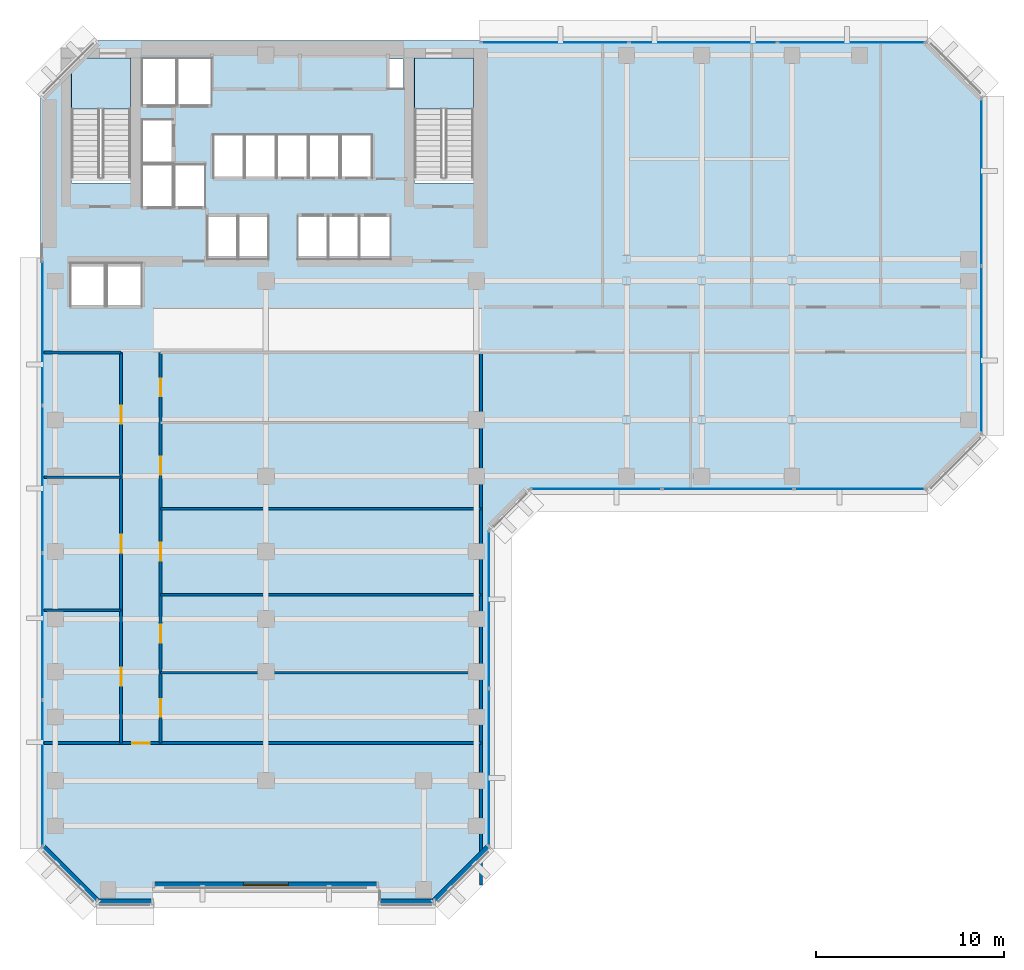
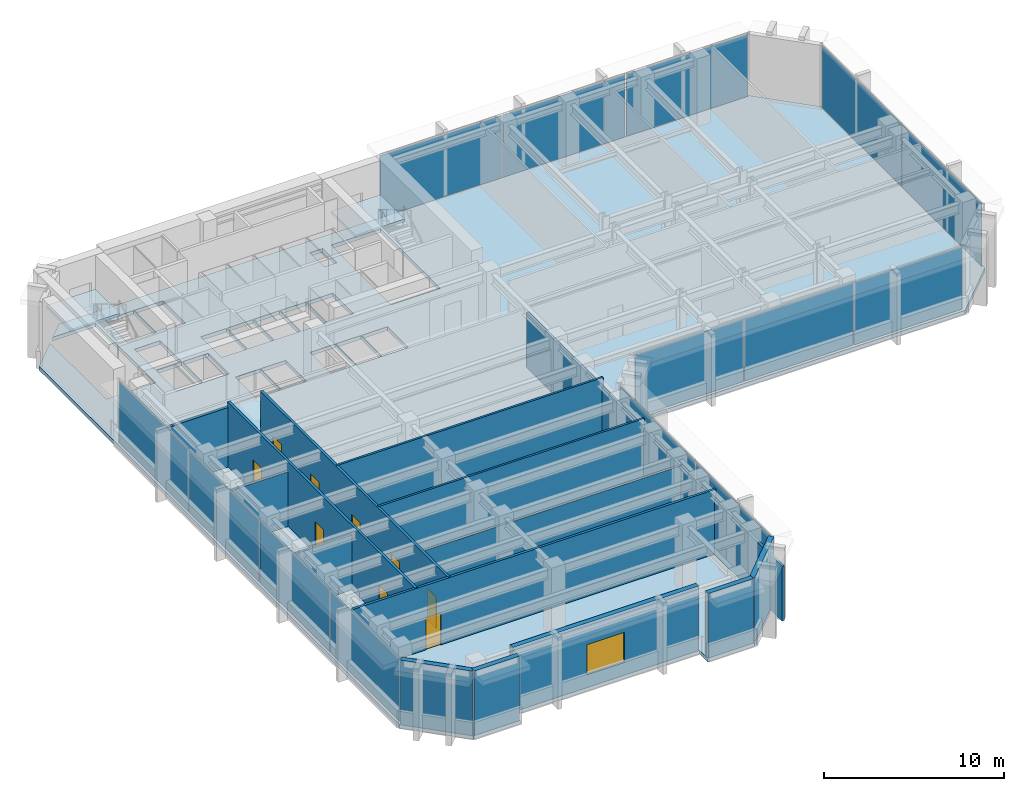
# One storey, part 6 of 13: 15 walls, 14 plates, 9 doors, 3 slabs, 1 window, 10 openings, 7 elements without a shape of their own.
"""IFC4 building model written with IfcOpenShell, lengths in metres."""

from ifc_helpers import new_model, si_unit, direction, frame, frame_2d, origin, origin_2d, place, context, subcontext, project, spatial, polyline, rectangle, outline, extrude, material, layer, layer_set, type_object, element, fill, aggregate, save


model = new_model("IFC4")

# Units and contexts
model_context = context("Model", 3, precision=1e-05, world=origin(), true_north=direction((0.0, 1.0)))
body_context = subcontext(model_context, "Body", "Model", "MODEL_VIEW")
ifc_project = project(units=[si_unit("LENGTHUNIT", "METRE"), si_unit("AREAUNIT", "SQUARE_METRE"), si_unit("VOLUMEUNIT", "CUBIC_METRE"), si_unit("PLANEANGLEUNIT", "RADIAN"), si_unit("MASSUNIT", "GRAM", prefix="KILO")], contexts=[model_context])

# Site, building, storey
site_placement = place(None, origin())
site = spatial("IfcSite", under=ifc_project, at=site_placement, CompositionType="ELEMENT")
building_placement = place(site_placement, origin())
building = spatial("IfcBuilding", under=site, at=building_placement, Name="Kefirva Bronze Tower", CompositionType="ELEMENT")
storey_placement = place(building_placement, frame((0.0, 0.0, 130.35009765625)))
storey = spatial("IfcBuildingStorey", under=building, at=storey_placement, Name="L31", CompositionType="ELEMENT", Elevation=130.35009765625)

# Stair, slab
ifc_material_1 = material(Name="Concrete C40/50", Category="concrete")
stair_type = type_object("IfcStairType", Name="RC Dogleg Protected Stair 28R", PredefinedType="HALF_TURN_STAIR", material=ifc_material_1)
stair_1_placement = place(storey_placement, origin())
stair_1 = element("IfcStair", 1, at=stair_1_placement, inside=storey, type_object=stair_type, Name="L31 Protected Exit Stair 1", PredefinedType="HALF_TURN_STAIR")
ifc_layer_1 = layer(ifc_material_1, 0.199951171875, Name="Concrete C40/50")
ifc_layer_set_1 = layer_set([ifc_layer_1], Name="Concrete C40/50")
slab_type_1 = type_object("IfcSlabType", Name="RC Stair Landing Slab 200mm", PredefinedType="LANDING", material=ifc_layer_set_1)
slab_1_placement = place(storey_placement, frame((0.0, 0.0, 2.10986328125)))
slab_1 = element("IfcSlab", 2, at=slab_1_placement, type_object=slab_type_1, Name="ST-1 landing 1", PredefinedType="LANDING", context=body_context, shape_type="SweptSolid", body=[
    extrude(outline(polyline([(4.800048828125, 42.340087890625), (4.800048828125, 45.050048828125), (1.64990234375, 45.050048828125), (1.64990234375, 42.340087890625), (4.800048828125, 42.340087890625)])), origin(), (0.0, 0.0, 1.0), 0.199951171875),
])
aggregate(stair_1, [slab_1])

stair_2_placement = place(storey_placement, origin())
stair_2 = element("IfcStair", 3, at=stair_2_placement, inside=storey, type_object=stair_type, Name="L31 Protected Exit Stair 2", PredefinedType="HALF_TURN_STAIR")
slab_2_placement = place(storey_placement, frame((0.0, 0.0, 2.10986328125)))
slab_2 = element("IfcSlab", 4, at=slab_2_placement, type_object=slab_type_1, Name="ST-2 landing 1", PredefinedType="LANDING", context=body_context, shape_type="SweptSolid", body=[
    extrude(outline(polyline([(23.050048828125, 42.340087890625), (23.050048828125, 45.050048828125), (19.89990234375, 45.050048828125), (19.89990234375, 42.340087890625), (23.050048828125, 42.340087890625)])), origin(), (0.0, 0.0, 1.0), 0.199951171875),
])
aggregate(stair_2, [slab_2])

# Slab
ifc_layer_2 = layer(ifc_material_1, 0.25, Name="Concrete C40/50")
ifc_layer_set_2 = layer_set([ifc_layer_2], Name="Concrete C40/50")
slab_type_2 = type_object("IfcSlabType", Name="RC Tower Floor Slab 250mm", PredefinedType="FLOOR", material=ifc_layer_set_2)
slab_3_placement = place(storey_placement, frame((0.0, 0.0, -0.25)))
element("IfcSlab", 5, at=slab_3_placement, inside=storey, type_object=slab_type_2, Name="L31 Structural Floor Slab", PredefinedType="FLOOR", context=body_context, shape_type="SweptSolid", body=[
    extrude(outline(polyline([(0.0, 3.0), (0.0, 43.0), (1.64990234375, 44.64990234375), (1.64990234375, 38.39990234375), (4.800048828125, 38.39990234375), (4.800048828125, 45.050048828125), (2.050048828125, 45.050048828125), (3.0, 46.0), (47.199951171875, 46.0), (50.199951171875, 43.0), (50.199951171875, 25.0), (47.199951171875, 22.0), (26.0, 22.0), (24.0, 20.0), (24.0, 3.0), (21.0, 0.0), (18.0, 0.0), (18.0, 0.89990234375), (6.0, 0.89990234375), (6.0, 0.0), (3.0, 0.0), (0.0, 3.0)]), holes=[polyline([(19.89990234375, 38.39990234375), (23.050048828125, 38.39990234375), (23.050048828125, 45.050048828125), (19.89990234375, 45.050048828125), (19.89990234375, 38.39990234375)]), polyline([(18.52001953125, 43.419921875), (19.320068359375, 43.419921875), (19.320068359375, 45.0), (18.52001953125, 45.0), (18.52001953125, 43.419921875)]), polyline([(17.0, 34.35009765625), (18.64990234375, 34.35009765625), (18.64990234375, 36.64990234375), (17.0, 36.64990234375), (17.0, 34.35009765625)]), polyline([(17.64990234375, 38.679931640625), (17.64990234375, 40.97998046875), (16.0, 40.97998046875), (16.0, 38.679931640625), (17.64990234375, 38.679931640625)]), polyline([(16.949951171875, 34.35009765625), (16.949951171875, 36.64990234375), (15.35009765625, 36.64990234375), (15.35009765625, 34.35009765625), (16.949951171875, 34.35009765625)]), polyline([(15.929931640625, 38.679931640625), (15.929931640625, 40.97998046875), (14.300048828125, 40.97998046875), (14.300048828125, 38.679931640625), (15.929931640625, 38.679931640625)]), polyline([(15.300048828125, 34.35009765625), (15.300048828125, 36.64990234375), (13.699951171875, 36.64990234375), (13.699951171875, 34.35009765625), (15.300048828125, 34.35009765625)]), polyline([(14.22998046875, 38.679931640625), (14.22998046875, 40.97998046875), (12.60009765625, 40.97998046875), (12.60009765625, 38.679931640625), (14.22998046875, 38.679931640625)]), polyline([(10.89990234375, 38.679931640625), (12.530029296875, 38.679931640625), (12.530029296875, 40.97998046875), (10.89990234375, 40.97998046875), (10.89990234375, 38.679931640625)]), polyline([(12.139892578125, 34.35009765625), (12.139892578125, 36.64990234375), (10.5400390625, 36.64990234375), (10.5400390625, 34.35009765625), (12.139892578125, 34.35009765625)]), polyline([(10.830078125, 38.679931640625), (10.830078125, 40.97998046875), (9.199951171875, 40.97998046875), (9.199951171875, 38.679931640625), (10.830078125, 38.679931640625)]), polyline([(10.5, 34.35009765625), (10.5, 36.64990234375), (8.89990234375, 36.64990234375), (8.89990234375, 34.35009765625), (10.5, 34.35009765625)]), polyline([(7.300048828125, 42.550048828125), (9.1201171875, 42.550048828125), (9.1201171875, 45.050048828125), (7.300048828125, 45.050048828125), (7.300048828125, 42.550048828125)]), polyline([(7.139892578125, 37.10009765625), (8.780029296875, 37.10009765625), (8.780029296875, 39.39990234375), (7.139892578125, 39.39990234375), (7.139892578125, 37.10009765625)]), polyline([(5.419921875, 42.550048828125), (7.239990234375, 42.550048828125), (7.239990234375, 45.050048828125), (5.419921875, 45.050048828125), (5.419921875, 42.550048828125)]), polyline([(7.06005859375, 39.47998046875), (7.06005859375, 41.780029296875), (5.419921875, 41.780029296875), (5.419921875, 39.47998046875), (7.06005859375, 39.47998046875)]), polyline([(5.419921875, 37.10009765625), (7.06005859375, 37.10009765625), (7.06005859375, 39.39990234375), (5.419921875, 39.39990234375), (5.419921875, 37.10009765625)]), polyline([(5.39990234375, 31.85009765625), (5.39990234375, 34.14990234375), (3.550048828125, 34.14990234375), (3.550048828125, 31.85009765625), (5.39990234375, 31.85009765625)]), polyline([(3.449951171875, 31.85009765625), (3.449951171875, 34.14990234375), (1.60009765625, 34.14990234375), (1.60009765625, 31.85009765625), (3.449951171875, 31.85009765625)])]), origin(), (0.0, 0.0, 1.0), 0.25),
])

# Curtain wall, plates
ifc_material_2 = material(Name="Bronze anodised aluminium", Category="aluminium")
ifc_layer_3 = layer(ifc_material_2, 0.199951171875, Name="Bronze anodised aluminium")
ifc_layer_set_3 = layer_set([ifc_layer_3], Name="Bronze anodised aluminium")
curtain_wall_type = type_object("IfcCurtainWallType", Name="Unitised Bronze Ribbon Curtain Wall Zone 2", PredefinedType="USERDEFINED", material=ifc_layer_set_3)
curtain_wall_1_placement = place(storey_placement, origin())
curtain_wall_1 = element("IfcCurtainWall", 6, at=curtain_wall_1_placement, inside=storey, type_object=curtain_wall_type, Name="L31 Curtain Wall 1", ObjectType="UNITISED CURTAIN WALL", PredefinedType="USERDEFINED")
ifc_material_3 = material(Name="Laminated low-E double glazing", Category="glass")
ifc_layer_4 = layer(ifc_material_3, 0.031982421875, Name="Laminated low-E double glazing")
ifc_layer_set_4 = layer_set([ifc_layer_4], Name="Laminated low-E double glazing")
plate_type = type_object("IfcPlateType", Name="Solar-Control Low-E Vision Panel 32mm", PredefinedType="CURTAIN_PANEL", material=ifc_layer_set_4)
plate_1_placement = place(storey_placement, frame((23.8798828125, 7.296142578125, 0.07470703125), z_axis=(0.0, 0.0, 1.0), x_axis=(0.0, 1.0, 0.0)))
plate_1 = element("IfcPlate", 7, at=plate_1_placement, type_object=plate_type, Name="CW-02 panel 1.1", PredefinedType="CURTAIN_PANEL", context=body_context, shape_type="SweptSolid", body=[
    extrude(rectangle(XDim=8.33251953125, YDim=0.031982421875, at=origin_2d()), origin(), (0.0, 0.0, 1.0), 4.219970703125),
])
plate_2_placement = place(storey_placement, frame((23.8798828125, 15.703857421875, 0.07470703125), z_axis=(0.0, 0.0, 1.0), x_axis=(0.0, 1.0, 0.0)))
plate_2 = element("IfcPlate", 8, at=plate_2_placement, type_object=plate_type, Name="CW-02 panel 2.1", PredefinedType="CURTAIN_PANEL", context=body_context, shape_type="SweptSolid", body=[
    extrude(rectangle(XDim=8.33251953125, YDim=0.031982421875, at=origin_2d()), origin(), (0.0, 0.0, 1.0), 4.219970703125),
])
aggregate(curtain_wall_1, [plate_1, plate_2])

curtain_wall_2_placement = place(storey_placement, origin())
curtain_wall_2 = element("IfcCurtainWall", 9, at=curtain_wall_2_placement, inside=storey, type_object=curtain_wall_type, Name="L31 Curtain Wall 2", ObjectType="UNITISED CURTAIN WALL", PredefinedType="USERDEFINED")
plate_3_placement = place(storey_placement, frame((29.5888671875, 22.1201171875, 0.07470703125), z_axis=(0.0, 0.0, 1.0), x_axis=(1.0, 0.0, 0.0)))
plate_3 = element("IfcPlate", 10, at=plate_3_placement, type_object=plate_type, Name="CW-02 panel 1.1", PredefinedType="CURTAIN_PANEL", context=body_context, shape_type="SweptSolid", body=[
    extrude(rectangle(XDim=6.91748046875, YDim=0.031982421875, at=origin_2d()), origin(), (0.0, 0.0, 1.0), 4.219970703125),
])
plate_4_placement = place(storey_placement, frame((36.60009765625, 22.1201171875, 0.07470703125), z_axis=(0.0, 0.0, 1.0), x_axis=(1.0, 0.0, 0.0)))
plate_4 = element("IfcPlate", 11, at=plate_4_placement, type_object=plate_type, Name="CW-02 panel 2.1", PredefinedType="CURTAIN_PANEL", context=body_context, shape_type="SweptSolid", body=[
    extrude(rectangle(XDim=6.955078125, YDim=0.031982421875, at=origin_2d()), origin(), (0.0, 0.0, 1.0), 4.219970703125),
])
plate_5_placement = place(storey_placement, frame((43.611328125, 22.1201171875, 0.07470703125), z_axis=(0.0, 0.0, 1.0), x_axis=(1.0, 0.0, 0.0)))
plate_5 = element("IfcPlate", 12, at=plate_5_placement, type_object=plate_type, Name="CW-02 panel 3.1", PredefinedType="CURTAIN_PANEL", context=body_context, shape_type="SweptSolid", body=[
    extrude(rectangle(XDim=6.91748046875, YDim=0.031982421875, at=origin_2d()), origin(), (0.0, 0.0, 1.0), 4.219970703125),
])
aggregate(curtain_wall_2, [plate_3, plate_4, plate_5])

curtain_wall_3_placement = place(storey_placement, origin())
curtain_wall_3 = element("IfcCurtainWall", 13, at=curtain_wall_3_placement, inside=storey, type_object=curtain_wall_type, Name="L31 Curtain Wall 3", ObjectType="UNITISED CURTAIN WALL", PredefinedType="USERDEFINED")
plate_6_placement = place(storey_placement, frame((50.080078125, 29.546142578125, 0.07470703125), z_axis=(0.0, 0.0, 1.0), x_axis=(0.0, 1.0, 0.0)))
plate_6 = element("IfcPlate", 14, at=plate_6_placement, type_object=plate_type, Name="CW-02 panel 1.1", PredefinedType="CURTAIN_PANEL", context=body_context, shape_type="SweptSolid", body=[
    extrude(rectangle(XDim=8.83251953125, YDim=0.031982421875, at=origin_2d()), origin(), (0.0, 0.0, 1.0), 4.219970703125),
])
plate_7_placement = place(storey_placement, frame((50.080078125, 38.453857421875, 0.07470703125), z_axis=(0.0, 0.0, 1.0), x_axis=(0.0, 1.0, 0.0)))
plate_7 = element("IfcPlate", 15, at=plate_7_placement, type_object=plate_type, Name="CW-02 panel 2.1", PredefinedType="CURTAIN_PANEL", context=body_context, shape_type="SweptSolid", body=[
    extrude(rectangle(XDim=8.83251953125, YDim=0.031982421875, at=origin_2d()), origin(), (0.0, 0.0, 1.0), 4.219970703125),
])
aggregate(curtain_wall_3, [plate_6, plate_7])

curtain_wall_4_placement = place(storey_placement, origin())
curtain_wall_4 = element("IfcCurtainWall", 16, at=curtain_wall_4_placement, inside=storey, type_object=curtain_wall_type, Name="L31 Curtain Wall 4", ObjectType="UNITISED CURTAIN WALL", PredefinedType="USERDEFINED")
plate_8_placement = place(storey_placement, frame((43.169677734375, 45.8798828125, 0.07470703125), z_axis=(0.0, 0.0, 1.0), x_axis=(-1.0, 0.0, 0.0)))
plate_8 = element("IfcPlate", 17, at=plate_8_placement, type_object=plate_type, Name="CW-02 panel 1.1", PredefinedType="CURTAIN_PANEL", context=body_context, shape_type="SweptSolid", body=[
    extrude(rectangle(XDim=7.80078125, YDim=0.031982421875, at=origin_2d()), origin(), (0.0, 0.0, 1.0), 4.219970703125),
])
plate_9_placement = place(storey_placement, frame((35.27490234375, 45.8798828125, 0.07470703125), z_axis=(0.0, 0.0, 1.0), x_axis=(-1.0, 0.0, 0.0)))
plate_9 = element("IfcPlate", 18, at=plate_9_placement, type_object=plate_type, Name="CW-02 panel 2.1", PredefinedType="CURTAIN_PANEL", context=body_context, shape_type="SweptSolid", body=[
    extrude(rectangle(XDim=7.83837890625, YDim=0.031982421875, at=origin_2d()), origin(), (0.0, 0.0, 1.0), 4.219970703125),
])
plate_10_placement = place(storey_placement, frame((27.38037109375, 45.8798828125, 0.07470703125), z_axis=(0.0, 0.0, 1.0), x_axis=(-1.0, 0.0, 0.0)))
plate_10 = element("IfcPlate", 19, at=plate_10_placement, type_object=plate_type, Name="CW-02 panel 3.1", PredefinedType="CURTAIN_PANEL", context=body_context, shape_type="SweptSolid", body=[
    extrude(rectangle(XDim=7.80078125, YDim=0.031982421875, at=origin_2d()), origin(), (0.0, 0.0, 1.0), 4.219970703125),
])
aggregate(curtain_wall_4, [plate_8, plate_9, plate_10])

curtain_wall_5_placement = place(storey_placement, origin())
curtain_wall_5 = element("IfcCurtainWall", 20, at=curtain_wall_5_placement, inside=storey, type_object=curtain_wall_type, Name="L31 Curtain Wall 5", ObjectType="UNITISED CURTAIN WALL", PredefinedType="USERDEFINED")
plate_11_placement = place(storey_placement, frame((0.1201171875, 30.458740234375, 0.07470703125), z_axis=(0.0, 0.0, 1.0), x_axis=(0.0, -1.0, 0.0)))
plate_11 = element("IfcPlate", 21, at=plate_11_placement, type_object=plate_type, Name="CW-02 panel 1.1", PredefinedType="CURTAIN_PANEL", context=body_context, shape_type="SweptSolid", body=[
    extrude(rectangle(XDim=7.722412109375, YDim=0.031982421875, at=origin_2d()), origin(), (0.0, 0.0, 1.0), 4.219970703125),
])
plate_12_placement = place(storey_placement, frame((0.1201171875, 22.642578125, 0.07470703125), z_axis=(0.0, 0.0, 1.0), x_axis=(0.0, -1.0, 0.0)))
plate_12 = element("IfcPlate", 22, at=plate_12_placement, type_object=plate_type, Name="CW-02 panel 2.1", PredefinedType="CURTAIN_PANEL", context=body_context, shape_type="SweptSolid", body=[
    extrude(rectangle(XDim=7.760009765625, YDim=0.031982421875, at=origin_2d()), origin(), (0.0, 0.0, 1.0), 4.219970703125),
])
plate_13_placement = place(storey_placement, frame((0.1201171875, 14.8076171875, 0.07470703125), z_axis=(0.0, 0.0, 1.0), x_axis=(0.0, -1.0, 0.0)))
plate_13 = element("IfcPlate", 23, at=plate_13_placement, type_object=plate_type, Name="CW-02 panel 3.1", PredefinedType="CURTAIN_PANEL", context=body_context, shape_type="SweptSolid", body=[
    extrude(rectangle(XDim=7.760009765625, YDim=0.031982421875, at=origin_2d()), origin(), (0.0, 0.0, 1.0), 4.219970703125),
])
plate_14_placement = place(storey_placement, frame((0.1201171875, 6.9912109375, 0.07470703125), z_axis=(0.0, 0.0, 1.0), x_axis=(0.0, -1.0, 0.0)))
plate_14 = element("IfcPlate", 24, at=plate_14_placement, type_object=plate_type, Name="CW-02 panel 4.1", PredefinedType="CURTAIN_PANEL", context=body_context, shape_type="SweptSolid", body=[
    extrude(rectangle(XDim=7.722412109375, YDim=0.031982421875, at=origin_2d()), origin(), (0.0, 0.0, 1.0), 4.219970703125),
])
aggregate(curtain_wall_5, [plate_11, plate_12, plate_13, plate_14])

# Walls
ifc_material_4 = material(Name="Gypsum acoustic partition")
ifc_layer_5 = layer(ifc_material_4, 0.1298828125, Name="Gypsum acoustic partition")
ifc_layer_set_5 = layer_set([ifc_layer_5], Name="Gypsum acoustic partition")
wall_type_1 = type_object("IfcWallType", Name="Acoustic Office Partition 130mm", PredefinedType="PARTITIONING", material=ifc_layer_set_5)
for number, where, z_axis, x_axis, name in (
    (25, (0.18994140625, 15.672119140625, 0.0), (0.0, 0.0, 1.0), (1.0, 0.0, 0.0), "L31 Partition W-L31-SWD1"),
    (26, (0.18994140625, 22.743896484375, 0.0), (0.0, 0.0, 1.0), (1.0, 0.0, 0.0), "L31 Partition W-L31-SWD2"),
):
    element("IfcWall", number, at=place(storey_placement, frame(where, z_axis=z_axis, x_axis=x_axis)), inside=storey, type_object=wall_type_1, Name=name, PredefinedType="PARTITIONING", context=body_context, shape_type="SweptSolid", body=[
        extrude(rectangle(XDim=4.110107421875, YDim=0.1298828125, at=frame_2d((2.05517578125, 0.0))), origin(), (0.0, 0.0, 1.0), 3.704833984375),
    ])
wall_1_placement = place(storey_placement, frame((6.39990234375, 12.343994140625, 0.0), z_axis=(0.0, 0.0, 1.0), x_axis=(1.0, 0.0, 0.0)))
element("IfcWall", 27, at=wall_1_placement, inside=storey, type_object=wall_type_1, Name="L31 Partition W-L31-SED1", PredefinedType="PARTITIONING", context=body_context, shape_type="SweptSolid", body=[
    extrude(rectangle(XDim=17.050048828125, YDim=0.1298828125, at=frame_2d((8.52490234375, 0.0))), origin(), (0.0, 0.0, 1.0), 3.704833984375),
])
for number, where, z_axis, x_axis, name in (
    (28, (6.39990234375, 16.50390625, 0.0), (0.0, 0.0, 1.0), (1.0, 0.0, 0.0), "L31 Partition W-L31-SED2"),
    (29, (6.39990234375, 21.080078125, 0.0), (0.0, 0.0, 1.0), (1.0, 0.0, 0.0), "L31 Partition W-L31-SED3"),
):
    element("IfcWall", number, at=place(storey_placement, frame(where, z_axis=z_axis, x_axis=x_axis)), inside=storey, type_object=wall_type_1, Name=name, PredefinedType="PARTITIONING", context=body_context, shape_type="SweptSolid", body=[
        extrude(rectangle(XDim=17.050048828125, YDim=0.1298828125, at=frame_2d((8.52490234375, 0.0))), origin(), (0.0, 0.0, 1.0), 4.369873046875),
    ])
ifc_material_5 = material(Name="Precast concrete C40/50", Category="concrete")
ifc_layer_6 = layer(ifc_material_5, 0.320068359375, Name="Precast concrete C40/50")
ifc_layer_set_6 = layer_set([ifc_layer_6], Name="Precast concrete C40/50")
wall_type_2 = type_object("IfcWallType", Name="Precast Insulated Exterior Wall 320mm", PredefinedType="SOLIDWALL", material=ifc_layer_set_6)
wall_2_placement = place(storey_placement, frame((3.054931640625, 0.159912109375, 0.0), z_axis=(0.0, 0.0, 1.0), x_axis=(1.0, 0.0, 0.0)))
element("IfcWall", 30, at=wall_2_placement, inside=storey, type_object=wall_type_2, Name="L31 Exterior Facade Wall 1", PredefinedType="SOLIDWALL", context=body_context, shape_type="SweptSolid", body=[
    extrude(rectangle(XDim=2.89013671875, YDim=0.320068359375, at=frame_2d((1.445068359375, 0.0))), origin(), (0.0, 0.0, 1.0), 4.369873046875),
])

# Wall, opening, window
wall_3_placement = place(storey_placement, frame((6.054931640625, 1.06005859375, 0.0), z_axis=(0.0, 0.0, 1.0), x_axis=(1.0, 0.0, 0.0)))
wall_3 = element("IfcWall", 31, at=wall_3_placement, inside=storey, type_object=wall_type_2, Name="L31 Exterior Facade Wall 2", PredefinedType="SOLIDWALL", context=body_context, shape_type="SweptSolid", body=[
    extrude(rectangle(XDim=11.89013671875, YDim=0.320068359375, at=frame_2d((5.945068359375, 0.0))), origin(), (0.0, 0.0, 1.0), 4.369873046875),
])
opening_1_placement = place(wall_3_placement, frame((4.7451171875, 0.0, 0.85009765625)))
opening_1 = element("IfcOpeningElement", 32, at=opening_1_placement, cuts=wall_3, Name="Opening WN-01", PredefinedType="OPENING", context=body_context, shape_type="SweptSolid", body=[
    extrude(rectangle(XDim=2.39990234375, YDim=2.050048828125, at=frame_2d((1.199951171875, 1.02490234375))), frame((0.0, 0.169921875, 0.0), z_axis=(0.0, -1.0, 0.0), x_axis=(1.0, 0.0, 0.0)), (0.0, 0.0, 1.0), 0.340087890625),
])
window_type = type_object("IfcWindowType", Name="Streamline Ribbon Window 2400x2050", PartitioningType="SINGLE_PANEL", PredefinedType="WINDOW", material=ifc_material_3)
window_placement = place(opening_1_placement, origin())
window = element("IfcWindow", 33, at=window_placement, inside=storey, type_object=window_type, Name="L31 Ribbon Window 2", OverallHeight=2.050048828125, OverallWidth=2.39990234375, PartitioningType="SINGLE_PANEL", PredefinedType="WINDOW", context=body_context, shape_type="SweptSolid", body=[
    extrude(rectangle(XDim=2.39990234375, YDim=2.050048828125, at=frame_2d((1.199951171875, 1.02490234375))), frame((0.0, 0.030029296875, 0.0), z_axis=(0.0, -1.0, 0.0), x_axis=(1.0, 0.0, 0.0)), (0.0, 0.0, 1.0), 0.06005859375),
])
fill(opening_1, window)

# Walls
wall_4_placement = place(storey_placement, frame((18.054931640625, 0.159912109375, 0.0), z_axis=(0.0, 0.0, 1.0), x_axis=(1.0, 0.0, 0.0)))
element("IfcWall", 34, at=wall_4_placement, inside=storey, type_object=wall_type_2, Name="L31 Exterior Facade Wall 3", PredefinedType="SOLIDWALL", context=body_context, shape_type="SweptSolid", body=[
    extrude(rectangle(XDim=2.89013671875, YDim=0.320068359375, at=frame_2d((1.445068359375, 0.0))), origin(), (0.0, 0.0, 1.0), 4.369873046875),
])
for number, where, z_axis, x_axis, name in (
    (35, (20.92578125, 0.152099609375, 0.0), (0.0, 0.0, 1.0), (0.707106781187, 0.707106781187, 0.0), "L31 Exterior Facade Wall 4"),
    (36, (0.152099609375, 3.07421875, 0.0), (0.0, 0.0, 1.0), (0.707106781187, -0.707106781187, 0.0), "L31 Exterior Facade Wall 9"),
):
    element("IfcWall", number, at=place(storey_placement, frame(where, z_axis=z_axis, x_axis=x_axis)), inside=storey, type_object=wall_type_2, Name=name, PredefinedType="SOLIDWALL", context=body_context, shape_type="SweptSolid", body=[
        extrude(rectangle(XDim=4.132568359375, YDim=0.320068359375, at=frame_2d((2.06640625, 0.0))), origin(), (0.0, 0.0, 1.0), 4.369873046875),
    ])

# Wall, openings, doors
ifc_layer_7 = layer(ifc_material_4, 0.159912109375, Name="Gypsum acoustic partition")
ifc_layer_set_7 = layer_set([ifc_layer_7], Name="Gypsum acoustic partition")
wall_type_3 = type_object("IfcWallType", Name="Protected Corridor Partition 160mm", PredefinedType="PARTITIONING", material=ifc_layer_set_7)
wall_5_placement = place(storey_placement, frame((4.300048828125, 8.60009765625, 0.0), z_axis=(0.0, 0.0, 1.0), x_axis=(0.0, 1.0, 0.0)))
wall_5 = element("IfcWall", 37, at=wall_5_placement, inside=storey, type_object=wall_type_3, Name="L31 Partition W-L31-SWCORW", PredefinedType="PARTITIONING", context=body_context, shape_type="SweptSolid", body=[
    extrude(rectangle(XDim=20.7998046875, YDim=0.159912109375, at=frame_2d((10.39990234375, 0.0))), origin(), (0.0, 0.0, 1.0), 4.369873046875),
])
opening_2_placement = place(wall_5_placement, frame((4.010986328125, 0.0, 0.0), z_axis=(0.0, 0.0, 1.0), x_axis=(-1.0, 0.0, 0.0)))
opening_2 = element("IfcOpeningElement", 38, at=opening_2_placement, cuts=wall_5, Name="Opening L31-D-SW1", PredefinedType="OPENING", context=body_context, shape_type="SweptSolid", body=[
    extrude(rectangle(XDim=0.949951171875, YDim=2.14990234375, at=frame_2d((0.47509765625, 1.074951171875))), frame((0.0, 0.08984375, 0.0), z_axis=(0.0, -1.0, 0.0), x_axis=(1.0, 0.0, 0.0)), (0.0, 0.0, 1.0), 0.179931640625),
])
opening_3_placement = place(wall_5_placement, frame((11.0830078125, 0.0, 0.0), z_axis=(0.0, 0.0, 1.0), x_axis=(-1.0, 0.0, 0.0)))
opening_3 = element("IfcOpeningElement", 39, at=opening_3_placement, cuts=wall_5, Name="Opening L31-D-SW2", PredefinedType="OPENING", context=body_context, shape_type="SweptSolid", body=[
    extrude(rectangle(XDim=0.949951171875, YDim=2.14990234375, at=frame_2d((0.47509765625, 1.074951171875))), frame((0.0, 0.08984375, 0.0), z_axis=(0.0, -1.0, 0.0), x_axis=(1.0, 0.0, 0.0)), (0.0, 0.0, 1.0), 0.179931640625),
])
opening_4_placement = place(wall_5_placement, frame((17.947021484375, 0.0, 0.0), z_axis=(0.0, 0.0, 1.0), x_axis=(-1.0, 0.0, 0.0)))
opening_4 = element("IfcOpeningElement", 40, at=opening_4_placement, cuts=wall_5, Name="Opening L31-D-SW3", PredefinedType="OPENING", context=body_context, shape_type="SweptSolid", body=[
    extrude(rectangle(XDim=0.949951171875, YDim=2.14990234375, at=frame_2d((0.47509765625, 1.074951171875))), frame((0.0, 0.08984375, 0.0), z_axis=(0.0, -1.0, 0.0), x_axis=(1.0, 0.0, 0.0)), (0.0, 0.0, 1.0), 0.179931640625),
])
ifc_material_6 = material(Name="Acoustic hardwood oak", Category="wood")
door_type = type_object("IfcDoorType", Name="Office & Meeting Room Door 950x2150", OperationType="NOTDEFINED", PredefinedType="DOOR", material=ifc_material_6)
door_1_placement = place(opening_2_placement, origin())
door_1 = element("IfcDoor", 41, at=door_1_placement, inside=storey, type_object=door_type, Name="Door L31-D-SW1", OperationType="SINGLE_SWING_LEFT", OverallHeight=2.14990234375, OverallWidth=0.949951171875, PredefinedType="DOOR", context=body_context, shape_type="SweptSolid", body=[
    extrude(rectangle(XDim=0.949951171875, YDim=2.14990234375, at=frame_2d((0.47509765625, 1.074951171875))), frame((0.0, 0.02490234375, 0.0), z_axis=(0.0, -1.0, 0.0), x_axis=(1.0, 0.0, 0.0)), (0.0, 0.0, 1.0), 0.050048828125),
])
fill(opening_2, door_1)
door_2_placement = place(opening_3_placement, origin())
door_2 = element("IfcDoor", 42, at=door_2_placement, inside=storey, type_object=door_type, Name="Door L31-D-SW2", OperationType="SINGLE_SWING_RIGHT", OverallHeight=2.14990234375, OverallWidth=0.949951171875, PredefinedType="DOOR", context=body_context, shape_type="SweptSolid", body=[
    extrude(rectangle(XDim=0.949951171875, YDim=2.14990234375, at=frame_2d((0.47509765625, 1.074951171875))), frame((0.0, 0.02490234375, 0.0), z_axis=(0.0, -1.0, 0.0), x_axis=(1.0, 0.0, 0.0)), (0.0, 0.0, 1.0), 0.050048828125),
])
fill(opening_3, door_2)
door_3_placement = place(opening_4_placement, origin())
door_3 = element("IfcDoor", 43, at=door_3_placement, inside=storey, type_object=door_type, Name="Door L31-D-SW3", OperationType="SINGLE_SWING_LEFT", OverallHeight=2.14990234375, OverallWidth=0.949951171875, PredefinedType="DOOR", context=body_context, shape_type="SweptSolid", body=[
    extrude(rectangle(XDim=0.949951171875, YDim=2.14990234375, at=frame_2d((0.47509765625, 1.074951171875))), frame((0.0, 0.02490234375, 0.0), z_axis=(0.0, -1.0, 0.0), x_axis=(1.0, 0.0, 0.0)), (0.0, 0.0, 1.0), 0.050048828125),
])
fill(opening_4, door_3)

wall_6_placement = place(storey_placement, frame((6.39990234375, 8.60009765625, 0.0), z_axis=(0.0, 0.0, 1.0), x_axis=(0.0, 1.0, 0.0)))
wall_6 = element("IfcWall", 44, at=wall_6_placement, inside=storey, type_object=wall_type_3, Name="L31 Partition W-L31-SECORE", PredefinedType="PARTITIONING", context=body_context, shape_type="SweptSolid", body=[
    extrude(rectangle(XDim=20.7998046875, YDim=0.159912109375, at=frame_2d((10.39990234375, 0.0))), origin(), (0.0, 0.0, 1.0), 4.369873046875),
])
opening_5_placement = place(wall_6_placement, frame((1.39697265625, 0.0, 0.0)))
opening_5 = element("IfcOpeningElement", 45, at=opening_5_placement, cuts=wall_6, Name="Opening L31-D-SE1", PredefinedType="OPENING", context=body_context, shape_type="SweptSolid", body=[
    extrude(rectangle(XDim=0.949951171875, YDim=2.14990234375, at=frame_2d((0.47509765625, 1.074951171875))), frame((0.0, 0.08984375, 0.0), z_axis=(0.0, -1.0, 0.0), x_axis=(1.0, 0.0, 0.0)), (0.0, 0.0, 1.0), 0.179931640625),
])
opening_6_placement = place(wall_6_placement, frame((5.34912109375, 0.0, 0.0)))
opening_6 = element("IfcOpeningElement", 46, at=opening_6_placement, cuts=wall_6, Name="Opening L31-D-SE2", PredefinedType="OPENING", context=body_context, shape_type="SweptSolid", body=[
    extrude(rectangle(XDim=0.949951171875, YDim=2.14990234375, at=frame_2d((0.47509765625, 1.074951171875))), frame((0.0, 0.08984375, 0.0), z_axis=(0.0, -1.0, 0.0), x_axis=(1.0, 0.0, 0.0)), (0.0, 0.0, 1.0), 0.179931640625),
])
opening_7_placement = place(wall_6_placement, frame((9.717041015625, 0.0, 0.0)))
opening_7 = element("IfcOpeningElement", 47, at=opening_7_placement, cuts=wall_6, Name="Opening L31-D-SE3", PredefinedType="OPENING", context=body_context, shape_type="SweptSolid", body=[
    extrude(rectangle(XDim=0.949951171875, YDim=2.14990234375, at=frame_2d((0.47509765625, 1.074951171875))), frame((0.0, 0.08984375, 0.0), z_axis=(0.0, -1.0, 0.0), x_axis=(1.0, 0.0, 0.0)), (0.0, 0.0, 1.0), 0.179931640625),
])
opening_8_placement = place(wall_6_placement, frame((14.29296875, 0.0, 0.0)))
opening_8 = element("IfcOpeningElement", 48, at=opening_8_placement, cuts=wall_6, Name="Opening L31-D-SE4", PredefinedType="OPENING", context=body_context, shape_type="SweptSolid", body=[
    extrude(rectangle(XDim=0.949951171875, YDim=2.14990234375, at=frame_2d((0.47509765625, 1.074951171875))), frame((0.0, 0.08984375, 0.0), z_axis=(0.0, -1.0, 0.0), x_axis=(1.0, 0.0, 0.0)), (0.0, 0.0, 1.0), 0.179931640625),
])
opening_9_placement = place(wall_6_placement, frame((18.452880859375, 0.0, 0.0)))
opening_9 = element("IfcOpeningElement", 49, at=opening_9_placement, cuts=wall_6, Name="Opening L31-D-SE5", PredefinedType="OPENING", context=body_context, shape_type="SweptSolid", body=[
    extrude(rectangle(XDim=0.949951171875, YDim=2.14990234375, at=frame_2d((0.47509765625, 1.074951171875))), frame((0.0, 0.08984375, 0.0), z_axis=(0.0, -1.0, 0.0), x_axis=(1.0, 0.0, 0.0)), (0.0, 0.0, 1.0), 0.179931640625),
])
door_4_placement = place(opening_5_placement, origin())
door_4 = element("IfcDoor", 50, at=door_4_placement, inside=storey, type_object=door_type, Name="Door L31-D-SE1", OperationType="SINGLE_SWING_RIGHT", OverallHeight=2.14990234375, OverallWidth=0.949951171875, PredefinedType="DOOR", context=body_context, shape_type="SweptSolid", body=[
    extrude(rectangle(XDim=0.949951171875, YDim=2.14990234375, at=frame_2d((0.47509765625, 1.074951171875))), frame((0.0, 0.02490234375, 0.0), z_axis=(0.0, -1.0, 0.0), x_axis=(1.0, 0.0, 0.0)), (0.0, 0.0, 1.0), 0.050048828125),
])
fill(opening_5, door_4)
door_5_placement = place(opening_6_placement, origin())
door_5 = element("IfcDoor", 51, at=door_5_placement, inside=storey, type_object=door_type, Name="Door L31-D-SE2", OperationType="SINGLE_SWING_LEFT", OverallHeight=2.14990234375, OverallWidth=0.949951171875, PredefinedType="DOOR", context=body_context, shape_type="SweptSolid", body=[
    extrude(rectangle(XDim=0.949951171875, YDim=2.14990234375, at=frame_2d((0.47509765625, 1.074951171875))), frame((0.0, 0.02490234375, 0.0), z_axis=(0.0, -1.0, 0.0), x_axis=(1.0, 0.0, 0.0)), (0.0, 0.0, 1.0), 0.050048828125),
])
fill(opening_6, door_5)
door_6_placement = place(opening_7_placement, origin())
door_6 = element("IfcDoor", 52, at=door_6_placement, inside=storey, type_object=door_type, Name="Door L31-D-SE3", OperationType="SINGLE_SWING_RIGHT", OverallHeight=2.14990234375, OverallWidth=0.949951171875, PredefinedType="DOOR", context=body_context, shape_type="SweptSolid", body=[
    extrude(rectangle(XDim=0.949951171875, YDim=2.14990234375, at=frame_2d((0.47509765625, 1.074951171875))), frame((0.0, 0.02490234375, 0.0), z_axis=(0.0, -1.0, 0.0), x_axis=(1.0, 0.0, 0.0)), (0.0, 0.0, 1.0), 0.050048828125),
])
fill(opening_7, door_6)
door_7_placement = place(opening_8_placement, origin())
door_7 = element("IfcDoor", 53, at=door_7_placement, inside=storey, type_object=door_type, Name="Door L31-D-SE4", OperationType="SINGLE_SWING_LEFT", OverallHeight=2.14990234375, OverallWidth=0.949951171875, PredefinedType="DOOR", context=body_context, shape_type="SweptSolid", body=[
    extrude(rectangle(XDim=0.949951171875, YDim=2.14990234375, at=frame_2d((0.47509765625, 1.074951171875))), frame((0.0, 0.02490234375, 0.0), z_axis=(0.0, -1.0, 0.0), x_axis=(1.0, 0.0, 0.0)), (0.0, 0.0, 1.0), 0.050048828125),
])
fill(opening_8, door_7)
door_8_placement = place(opening_9_placement, origin())
door_8 = element("IfcDoor", 54, at=door_8_placement, inside=storey, type_object=door_type, Name="Door L31-D-SE5", OperationType="SINGLE_SWING_RIGHT", OverallHeight=2.14990234375, OverallWidth=0.949951171875, PredefinedType="DOOR", context=body_context, shape_type="SweptSolid", body=[
    extrude(rectangle(XDim=0.949951171875, YDim=2.14990234375, at=frame_2d((0.47509765625, 1.074951171875))), frame((0.0, 0.02490234375, 0.0), z_axis=(0.0, -1.0, 0.0), x_axis=(1.0, 0.0, 0.0)), (0.0, 0.0, 1.0), 0.050048828125),
])
fill(opening_9, door_8)

# Wall, opening, door
wall_7_placement = place(storey_placement, frame((0.18994140625, 8.60009765625, 0.0), z_axis=(0.0, 0.0, 1.0), x_axis=(1.0, 0.0, 0.0)))
wall_7 = element("IfcWall", 55, at=wall_7_placement, inside=storey, type_object=wall_type_3, Name="L31 Partition W-L31-SBEND", PredefinedType="PARTITIONING", context=body_context, shape_type="SweptSolid", body=[
    extrude(rectangle(XDim=23.260009765625, YDim=0.159912109375, at=frame_2d((11.6298828125, 0.0))), origin(), (0.0, 0.0, 1.0), 4.369873046875),
])
opening_10_placement = place(wall_7_placement, frame((4.68994140625, 0.0, 0.0)))
opening_10 = element("IfcOpeningElement", 56, at=opening_10_placement, cuts=wall_7, Name="Opening L31-D-SEND1", PredefinedType="OPENING", context=body_context, shape_type="SweptSolid", body=[
    extrude(rectangle(XDim=0.949951171875, YDim=2.14990234375, at=frame_2d((0.47509765625, 1.074951171875))), frame((0.0, 0.08984375, 0.0), z_axis=(0.0, -1.0, 0.0), x_axis=(1.0, 0.0, 0.0)), (0.0, 0.0, 1.0), 0.179931640625),
])
door_9_placement = place(opening_10_placement, origin())
door_9 = element("IfcDoor", 57, at=door_9_placement, inside=storey, type_object=door_type, Name="Door L31-D-SEND1", OperationType="SINGLE_SWING_RIGHT", OverallHeight=2.14990234375, OverallWidth=0.949951171875, PredefinedType="DOOR", context=body_context, shape_type="SweptSolid", body=[
    extrude(rectangle(XDim=0.949951171875, YDim=2.14990234375, at=frame_2d((0.47509765625, 1.074951171875))), frame((0.0, 0.02490234375, 0.0), z_axis=(0.0, -1.0, 0.0), x_axis=(1.0, 0.0, 0.0)), (0.0, 0.0, 1.0), 0.050048828125),
])
fill(opening_10, door_9)

# Walls
wall_8_placement = place(storey_placement, frame((0.18994140625, 29.39990234375, 0.0), z_axis=(0.0, 0.0, 1.0), x_axis=(1.0, 0.0, 0.0)))
element("IfcWall", 58, at=wall_8_placement, inside=storey, type_object=wall_type_3, Name="L31 Partition W-L31-NWT", PredefinedType="PARTITIONING", context=body_context, shape_type="SweptSolid", body=[
    extrude(rectangle(XDim=4.110107421875, YDim=0.159912109375, at=frame_2d((2.05517578125, 0.0))), origin(), (0.0, 0.0, 1.0), 4.02490234375),
])
wall_9_placement = place(storey_placement, frame((23.449951171875, 1.0400390625, 0.0), z_axis=(0.0, 0.0, 1.0), x_axis=(0.0, 1.0, 0.0)))
element("IfcWall", 59, at=wall_9_placement, inside=storey, type_object=wall_type_3, Name="L31 Partition W-L31-SWEAST", PredefinedType="PARTITIONING", context=body_context, shape_type="SweptSolid", body=[
    extrude(rectangle(XDim=28.35986328125, YDim=0.159912109375, at=frame_2d((14.179931640625, 0.0))), origin(), (0.0, 0.0, 1.0), 3.704833984375),
])

save(model, "model.ifc")
